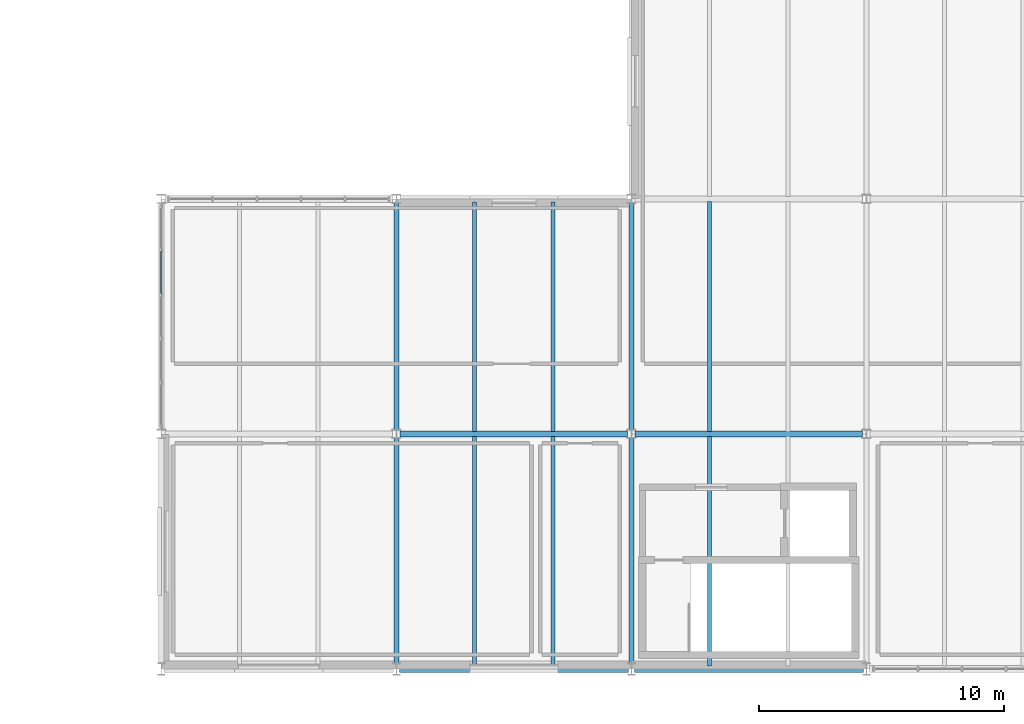
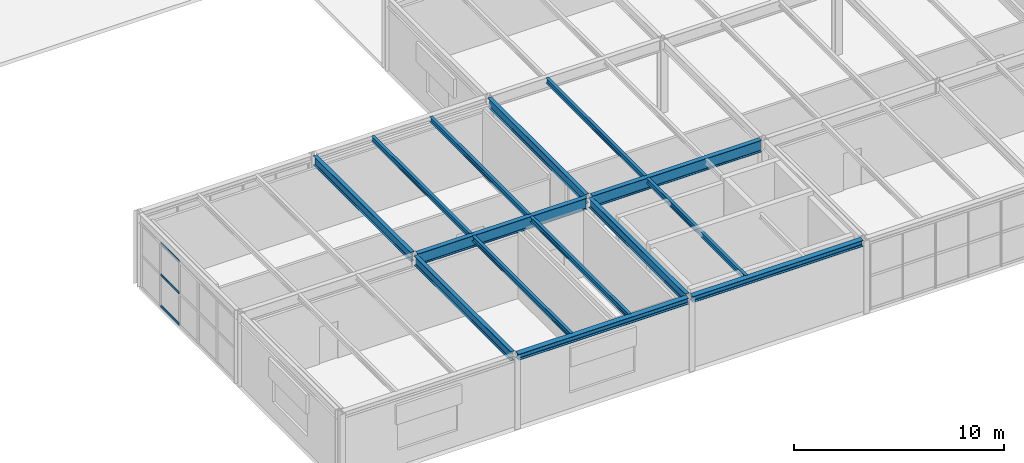
# One storey, part 116 of 170: 14 beams, 3 members, 1 element without a shape of its own.
"""IFC4 building model written with IfcOpenShell, lengths in metres."""

from ifc_helpers import new_model, si_unit, direction, frame, origin, origin_2d, place, context, subcontext, project, spatial, hollow_rectangle, i_section, extrude, material, material_profile, profile_set, type_object, element, aggregate, save


model = new_model("IFC4")

# Units and contexts
model_context = context("Model", 3, precision=1e-05, world=origin(), true_north=direction((0.0, 1.0)))
body_context = subcontext(model_context, "Body", "Model", "MODEL_VIEW")
ifc_project = project(units=[si_unit("LENGTHUNIT", "METRE"), si_unit("AREAUNIT", "SQUARE_METRE"), si_unit("VOLUMEUNIT", "CUBIC_METRE"), si_unit("PLANEANGLEUNIT", "RADIAN"), si_unit("MASSUNIT", "GRAM", prefix="KILO")], contexts=[model_context])

# Site, building, storey
site_placement = place(None, origin())
site = spatial("IfcSite", under=ifc_project, at=site_placement, CompositionType="ELEMENT")
building_placement = place(site_placement, origin())
building = spatial("IfcBuilding", under=site, at=building_placement, Name="Coralgate Yard Interchange", CompositionType="ELEMENT")
storey_placement = place(building_placement, frame((0.0, 0.0, 6.0)))
storey = spatial("IfcBuildingStorey", under=building, at=storey_placement, Name="L01", CompositionType="ELEMENT", Elevation=6.0)

# Beams
ifc_material_1 = material(Name="Structural steel S355J2", Category="steel")
ifc_material_profile_1 = material_profile(ifc_material_1, i_section(OverallWidth=0.209228515625, OverallDepth=0.533203125, WebThickness=0.010009765625, FlangeThickness=0.015625, FilletRadius=0.0126953125, at=origin_2d()), Name="UB 533x210x92")
ifc_profile_set_1 = profile_set([ifc_material_profile_1], Name="Structural steel S355J2")
beam_type_1 = type_object("IfcBeamType", Name="BM-SB-1", PredefinedType="BEAM", material=ifc_profile_set_1)
beam_1_placement = place(storey_placement, frame((144.0, 0.219970703125, 3.9833984375), z_axis=(0.0, 1.0, 0.0), x_axis=(-1.0, 0.0, 0.0)))
element("IfcBeam", 1, at=beam_1_placement, inside=storey, type_object=beam_type_1, Name="L01 primary grid girder X15 Y0-1", PredefinedType="BEAM", context=body_context, shape_type="SweptSolid", body=[
    extrude(i_section(OverallWidth=0.209228515625, OverallDepth=0.533203125, WebThickness=0.010009765625, FlangeThickness=0.015625, FilletRadius=0.0126953125, at=origin_2d()), origin(), (0.0, 0.0, 1.0), 9.225830078125),
])
beam_2_placement = place(storey_placement, frame((144.0, 9.754150390625, 3.9833984375), z_axis=(0.0, 1.0, 0.0), x_axis=(-1.0, 0.0, 0.0)))
element("IfcBeam", 2, at=beam_2_placement, inside=storey, type_object=beam_type_1, Name="L01 primary grid girder X15 Y1-2", PredefinedType="BEAM", context=body_context, shape_type="SweptSolid", body=[
    extrude(i_section(OverallWidth=0.209228515625, OverallDepth=0.533203125, WebThickness=0.010009765625, FlangeThickness=0.015625, FilletRadius=0.0126953125, at=origin_2d()), origin(), (0.0, 0.0, 1.0), 9.291748046875),
])
beam_3_placement = place(storey_placement, frame((153.60009765625, 0.219970703125, 3.9833984375), z_axis=(0.0, 1.0, 0.0), x_axis=(-1.0, 0.0, 0.0)))
element("IfcBeam", 3, at=beam_3_placement, inside=storey, type_object=beam_type_1, Name="L01 primary grid girder X16 Y0-1", PredefinedType="BEAM", context=body_context, shape_type="SweptSolid", body=[
    extrude(i_section(OverallWidth=0.209228515625, OverallDepth=0.533203125, WebThickness=0.010009765625, FlangeThickness=0.015625, FilletRadius=0.0126953125, at=origin_2d()), origin(), (0.0, 0.0, 1.0), 9.225830078125),
])
beam_4_placement = place(storey_placement, frame((153.60009765625, 9.754150390625, 3.9833984375), z_axis=(0.0, 1.0, 0.0), x_axis=(-1.0, 0.0, 0.0)))
element("IfcBeam", 4, at=beam_4_placement, inside=storey, type_object=beam_type_1, Name="L01 primary grid girder X16 Y1-2", PredefinedType="BEAM", context=body_context, shape_type="SweptSolid", body=[
    extrude(i_section(OverallWidth=0.209228515625, OverallDepth=0.533203125, WebThickness=0.010009765625, FlangeThickness=0.015625, FilletRadius=0.0126953125, at=origin_2d()), origin(), (0.0, 0.0, 1.0), 9.291748046875),
])
ifc_material_profile_2 = material_profile(ifc_material_1, i_section(OverallWidth=0.253662109375, OverallDepth=0.68359375, WebThickness=0.012451171875, FlangeThickness=0.01904296875, FilletRadius=0.01513671875, at=origin_2d()), Name="UB 686x254x140")
ifc_profile_set_2 = profile_set([ifc_material_profile_2], Name="Structural steel S355J2")
beam_type_2 = type_object("IfcBeamType", Name="BM-SG-4", PredefinedType="BEAM", material=ifc_profile_set_2)
for number, where, z_axis, x_axis, name in (
    (5, (144.15625, 9.60009765625, 3.908203125), (1.0, 0.0, 0.0), (0.0, 1.0, 0.0), "L01 primary grid beam Y1 X15-16"),
    (6, (153.75634765625, 9.60009765625, 3.908203125), (1.0, 0.0, 0.0), (0.0, 1.0, 0.0), "L01 primary grid beam Y1 X16-17"),
):
    element("IfcBeam", number, at=place(storey_placement, frame(where, z_axis=z_axis, x_axis=x_axis)), inside=storey, type_object=beam_type_2, Name=name, PredefinedType="BEAM", context=body_context, shape_type="SweptSolid", body=[
        extrude(i_section(OverallWidth=0.253662109375, OverallDepth=0.68359375, WebThickness=0.012451171875, FlangeThickness=0.01904296875, FilletRadius=0.01513671875, at=origin_2d()), origin(), (0.0, 0.0, 1.0), 9.287353515625),
    ])
ifc_material_profile_3 = material_profile(ifc_material_1, i_section(OverallWidth=0.1650390625, OverallDepth=0.303466796875, WebThickness=0.006103515625, FlangeThickness=0.01025390625, FilletRadius=0.0087890625, at=origin_2d()), Name="UB 305x165x40")
ifc_profile_set_3 = profile_set([ifc_material_profile_3], Name="Structural steel S355J2")
beam_type_3 = type_object("IfcBeamType", Name="BM-SJ-1", PredefinedType="JOIST", material=ifc_profile_set_3)
for number, where, z_axis, x_axis, name in (
    (7, (147.199951171875, 0.1201171875, 4.098388671875), (0.0, 1.0, 0.0), (-1.0, 0.0, 0.0), "L01 composite floor joist 15-0-1"),
    (8, (150.39990234375, 0.1201171875, 4.098388671875), (0.0, 1.0, 0.0), (-1.0, 0.0, 0.0), "L01 composite floor joist 15-0-2"),
):
    element("IfcBeam", number, at=place(storey_placement, frame(where, z_axis=z_axis, x_axis=x_axis)), inside=storey, type_object=beam_type_3, Name=name, PredefinedType="JOIST", context=body_context, shape_type="SweptSolid", body=[
        extrude(i_section(OverallWidth=0.1650390625, OverallDepth=0.303466796875, WebThickness=0.006103515625, FlangeThickness=0.01025390625, FilletRadius=0.0087890625, at=origin_2d()), origin(), (0.0, 0.0, 1.0), 9.383056640625),
    ])
for number, where, z_axis, x_axis, name in (
    (9, (147.199951171875, 9.69677734375, 4.098388671875), (0.0, 1.0, 0.0), (-1.0, 0.0, 0.0), "L01 composite floor joist 15-1-1"),
    (10, (150.39990234375, 9.69677734375, 4.098388671875), (0.0, 1.0, 0.0), (-1.0, 0.0, 0.0), "L01 composite floor joist 15-1-2"),
):
    element("IfcBeam", number, at=place(storey_placement, frame(where, z_axis=z_axis, x_axis=x_axis)), inside=storey, type_object=beam_type_3, Name=name, PredefinedType="JOIST", context=body_context, shape_type="SweptSolid", body=[
        extrude(i_section(OverallWidth=0.1650390625, OverallDepth=0.303466796875, WebThickness=0.006103515625, FlangeThickness=0.01025390625, FilletRadius=0.0087890625, at=origin_2d()), origin(), (0.0, 0.0, 1.0), 9.38330078125),
    ])
beam_5_placement = place(storey_placement, frame((156.800048828125, 0.1201171875, 4.098388671875), z_axis=(0.0, 1.0, 0.0), x_axis=(-1.0, 0.0, 0.0)))
element("IfcBeam", 11, at=beam_5_placement, inside=storey, type_object=beam_type_3, Name="L01 composite floor joist 16-0-1", PredefinedType="JOIST", context=body_context, shape_type="SweptSolid", body=[
    extrude(i_section(OverallWidth=0.1650390625, OverallDepth=0.303466796875, WebThickness=0.006103515625, FlangeThickness=0.01025390625, FilletRadius=0.0087890625, at=origin_2d()), origin(), (0.0, 0.0, 1.0), 9.383056640625),
])
beam_6_placement = place(storey_placement, frame((156.800048828125, 9.69677734375, 4.098388671875), z_axis=(0.0, 1.0, 0.0), x_axis=(-1.0, 0.0, 0.0)))
element("IfcBeam", 12, at=beam_6_placement, inside=storey, type_object=beam_type_3, Name="L01 composite floor joist 16-1-1", PredefinedType="JOIST", context=body_context, shape_type="SweptSolid", body=[
    extrude(i_section(OverallWidth=0.1650390625, OverallDepth=0.303466796875, WebThickness=0.006103515625, FlangeThickness=0.01025390625, FilletRadius=0.0087890625, at=origin_2d()), origin(), (0.0, 0.0, 1.0), 9.40625),
])
ifc_material_profile_4 = material_profile(ifc_material_1, i_section(OverallWidth=0.300048828125, OverallDepth=0.35009765625, WebThickness=0.010009765625, FlangeThickness=0.017578125, FilletRadius=0.027099609375, at=origin_2d()), Name="HEA 360")
ifc_profile_set_4 = profile_set([ifc_material_profile_4], Name="Structural steel S355J2")
beam_type_4 = type_object("IfcBeamType", Name="BM-SP-1", PredefinedType="SPANDREL", material=ifc_profile_set_4)
beam_7_placement = place(storey_placement, frame((144.1201171875, 0.0, 4.074951171875), z_axis=(1.0, 0.0, 0.0), x_axis=(0.0, 1.0, 0.0)))
element("IfcBeam", 13, at=beam_7_placement, inside=storey, type_object=beam_type_4, Name="L01 primary grid beam Y0 X15-16", PredefinedType="SPANDREL", context=body_context, shape_type="SweptSolid", body=[
    extrude(i_section(OverallWidth=0.300048828125, OverallDepth=0.35009765625, WebThickness=0.010009765625, FlangeThickness=0.017578125, FilletRadius=0.027099609375, at=origin_2d()), origin(), (0.0, 0.0, 1.0), 9.35986328125),
])
beam_8_placement = place(storey_placement, frame((153.719970703125, 0.0, 4.074951171875), z_axis=(1.0, 0.0, 0.0), x_axis=(0.0, 1.0, 0.0)))
element("IfcBeam", 14, at=beam_8_placement, inside=storey, type_object=beam_type_4, Name="L01 primary grid beam Y0 X16-17", PredefinedType="SPANDREL", context=body_context, shape_type="SweptSolid", body=[
    extrude(i_section(OverallWidth=0.300048828125, OverallDepth=0.35009765625, WebThickness=0.010009765625, FlangeThickness=0.017578125, FilletRadius=0.027099609375, at=origin_2d()), origin(), (0.0, 0.0, 1.0), 9.360107421875),
])

# Curtain wall, members
ifc_material_2 = material(Name="Anodised coastal aluminium and solar-control low-E glass", Category="aluminium")
curtain_wall_type = type_object("IfcCurtainWallType", Name="CW-CW-L01-A", PredefinedType="NOTDEFINED", material=ifc_material_2)
curtain_wall_placement = place(storey_placement, origin())
curtain_wall = element("IfcCurtainWall", 15, at=curtain_wall_placement, inside=storey, type_object=curtain_wall_type, Name="L01 unitised curtain wall CW-L01-W-14-01", PredefinedType="NOTDEFINED")
ifc_material_3 = material(Name="Anodised coastal aluminium 6063-T6", Category="aluminium")
ifc_material_profile_5 = material_profile(ifc_material_3, hollow_rectangle(XDim=0.06005859375, YDim=0.139892578125, WallThickness=0.00341796875, InnerFilletRadius=0.00341796875, OuterFilletRadius=0.007080078125, at=origin_2d()), Name="ALU 60x140x3.5")
ifc_profile_set_5 = profile_set([ifc_material_profile_5], Name="Anodised coastal aluminium 6063-T6")
member_type = type_object("IfcMemberType", Name="MB-TRN-140", PredefinedType="USERDEFINED", material=ifc_profile_set_5)
member_1_placement = place(storey_placement, frame((134.39990234375, 15.330078125, 0.034912109375), z_axis=(0.0, 1.0, 0.0), x_axis=(-1.0, 0.0, 0.0)))
member_1 = element("IfcMember", 16, at=member_1_placement, type_object=member_type, Name="CW-L01-W-14-01 horizontal transom 4-1", ObjectType="TRANSOM", PredefinedType="USERDEFINED", context=body_context, shape_type="SweptSolid", body=[
    extrude(hollow_rectangle(XDim=0.06005859375, YDim=0.139892578125, WallThickness=0.00341796875, InnerFilletRadius=0.00341796875, OuterFilletRadius=0.007080078125, at=origin_2d()), origin(), (0.0, 0.0, 1.0), 1.739990234375),
])
member_2_placement = place(storey_placement, frame((134.39990234375, 15.330078125, 1.8583984375), z_axis=(0.0, 1.0, 0.0), x_axis=(-1.0, 0.0, 0.0)))
member_2 = element("IfcMember", 17, at=member_2_placement, type_object=member_type, Name="CW-L01-W-14-01 horizontal transom 4-2", ObjectType="TRANSOM", PredefinedType="USERDEFINED", context=body_context, shape_type="SweptSolid", body=[
    extrude(hollow_rectangle(XDim=0.06005859375, YDim=0.139892578125, WallThickness=0.00341796875, InnerFilletRadius=0.00341796875, OuterFilletRadius=0.007080078125, at=origin_2d()), origin(), (0.0, 0.0, 1.0), 1.739990234375),
])
member_3_placement = place(storey_placement, frame((134.39990234375, 15.330078125, 3.681884765625), z_axis=(0.0, 1.0, 0.0), x_axis=(-1.0, 0.0, 0.0)))
member_3 = element("IfcMember", 18, at=member_3_placement, type_object=member_type, Name="CW-L01-W-14-01 horizontal transom 4-3", ObjectType="TRANSOM", PredefinedType="USERDEFINED", context=body_context, shape_type="SweptSolid", body=[
    extrude(hollow_rectangle(XDim=0.06005859375, YDim=0.139892578125, WallThickness=0.00341796875, InnerFilletRadius=0.00341796875, OuterFilletRadius=0.007080078125, at=origin_2d()), origin(), (0.0, 0.0, 1.0), 1.739990234375),
])
aggregate(curtain_wall, [member_1, member_2, member_3])

save(model, "model.ifc")
